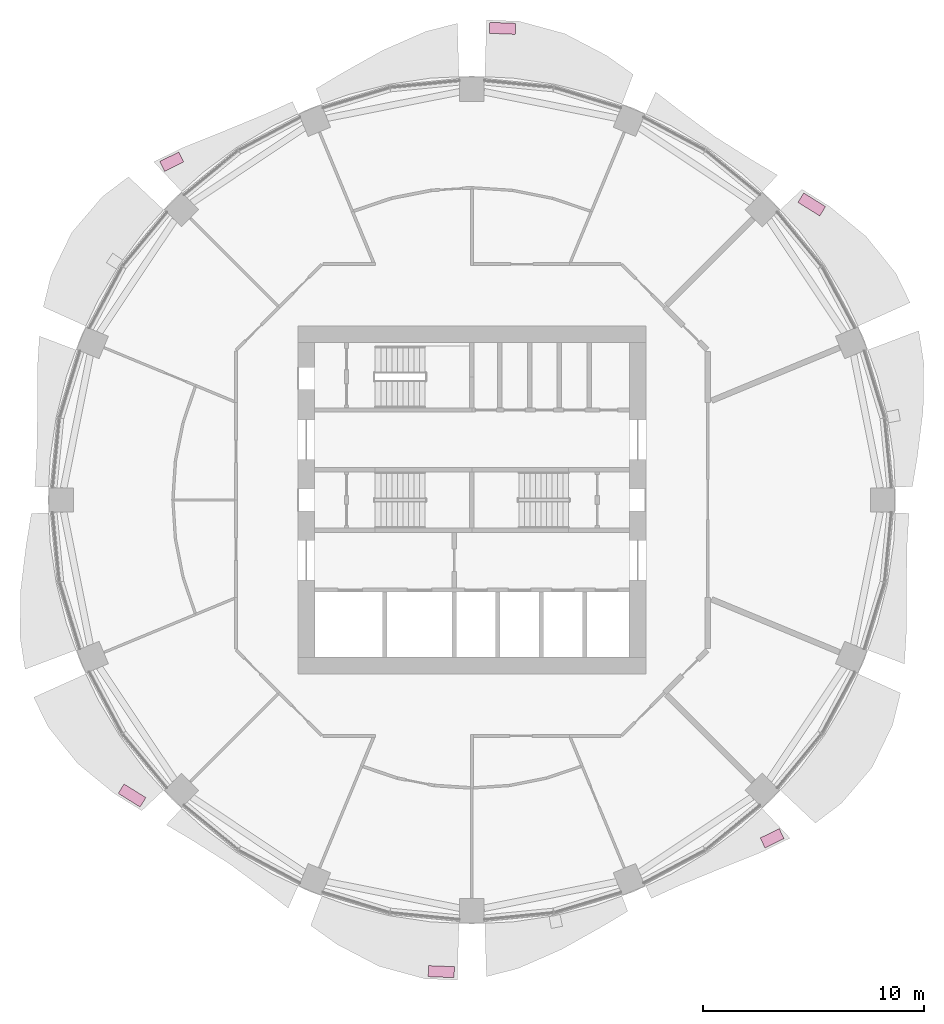
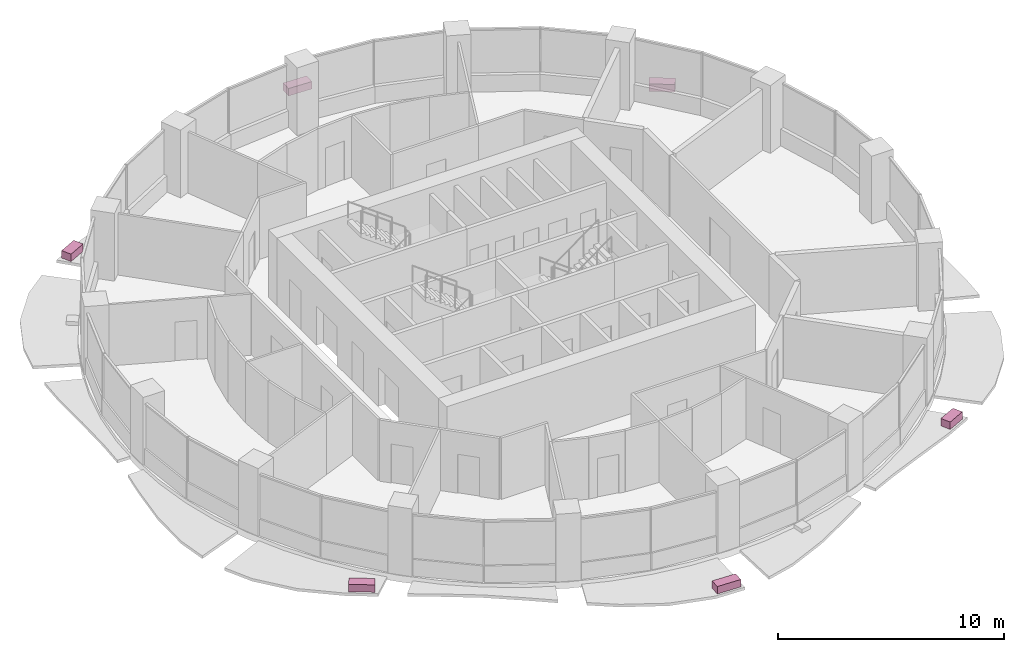
# One storey, part 14 of 14: 6 furniture elements.
"""IFC4 building model written with IfcOpenShell, lengths in metres."""

from ifc_helpers import new_model, si_unit, direction, frame, origin, origin_2d, place, context, subcontext, project, spatial, rectangle, extrude, material, type_object, element, save


model = new_model("IFC4")

# Units and contexts
model_context = context("Model", 3, precision=1e-05, world=origin(), true_north=direction((0.0, 1.0)))
body_context = subcontext(model_context, "Body", "Model", "MODEL_VIEW")
ifc_project = project(units=[si_unit("LENGTHUNIT", "METRE"), si_unit("AREAUNIT", "SQUARE_METRE"), si_unit("VOLUMEUNIT", "CUBIC_METRE"), si_unit("PLANEANGLEUNIT", "RADIAN"), si_unit("MASSUNIT", "GRAM", prefix="KILO")], contexts=[model_context])

# Site, building, storey
site_placement = place(None, origin())
site = spatial("IfcSite", under=ifc_project, at=site_placement, CompositionType="ELEMENT")
building_placement = place(site_placement, origin())
building = spatial("IfcBuilding", under=site, at=building_placement, Name="Polderwave Tower", CompositionType="ELEMENT")
storey_placement = place(building_placement, frame((0.0, 0.0, 109.25)))
storey = spatial("IfcBuildingStorey", under=building, at=storey_placement, Name="L28", CompositionType="ELEMENT", Elevation=109.25)

# Furniture
ifc_material = material(Name="Terracotta", Category="masonry")
furniture_type = type_object("IfcFurnitureType", Name="Terracotta planting trough", AssemblyPlace="NOTDEFINED", PredefinedType="USERDEFINED", material=ifc_material)
furniture_1_placement = place(storey_placement, frame((15.377197265625, 13.371826171875, -0.199951171875), z_axis=(0.0, 0.0, 1.0), x_axis=(-0.848756721796, 0.528783535301, 0.0)))
element("IfcFurniture", 1, at=furniture_1_placement, inside=storey, type_object=furniture_type, Name="Planting trough L28 2", ObjectType="PLANTER", PredefinedType="USERDEFINED", context=body_context, shape_type="SweptSolid", body=[
    extrude(rectangle(XDim=1.16455078125, YDim=0.5, at=origin_2d()), origin(), (0.0, 0.0, 1.0), 0.39990234375),
])
furniture_2_placement = place(storey_placement, frame((1.384765625, 21.34130859375, -0.199951171875), z_axis=(0.0, 0.0, 1.0), x_axis=(-0.999269734511, 0.038209916115, 0.0)))
element("IfcFurniture", 2, at=furniture_2_placement, inside=storey, type_object=furniture_type, Name="Planting trough L28 4", ObjectType="PLANTER", PredefinedType="USERDEFINED", context=body_context, shape_type="SweptSolid", body=[
    extrude(rectangle(XDim=1.172119140625, YDim=0.5, at=origin_2d()), origin(), (0.0, 0.0, 1.0), 0.39990234375),
])
furniture_3_placement = place(storey_placement, frame((-13.5849609375, 15.30712890625, -0.199951171875), z_axis=(0.0, 0.0, 1.0), x_axis=(-0.897969212119, -0.440058284874, 0.0)))
element("IfcFurniture", 3, at=furniture_3_placement, inside=storey, type_object=furniture_type, Name="Planting trough L28 6", ObjectType="PLANTER", PredefinedType="USERDEFINED", context=body_context, shape_type="SweptSolid", body=[
    extrude(rectangle(XDim=0.959716796875, YDim=0.5, at=origin_2d()), origin(), (0.0, 0.0, 1.0), 0.39990234375),
])
furniture_4_placement = place(storey_placement, frame((-15.377197265625, -13.371826171875, -0.199951171875), z_axis=(0.0, 0.0, 1.0), x_axis=(0.848756721796, -0.528783535301, 0.0)))
element("IfcFurniture", 4, at=furniture_4_placement, inside=storey, type_object=furniture_type, Name="Planting trough L28 10", ObjectType="PLANTER", PredefinedType="USERDEFINED", context=body_context, shape_type="SweptSolid", body=[
    extrude(rectangle(XDim=1.16455078125, YDim=0.5, at=origin_2d()), origin(), (0.0, 0.0, 1.0), 0.39990234375),
])
furniture_5_placement = place(storey_placement, frame((-1.384765625, -21.34130859375, -0.199951171875), z_axis=(0.0, 0.0, 1.0), x_axis=(0.999269734511, -0.038209916115, 0.0)))
element("IfcFurniture", 5, at=furniture_5_placement, inside=storey, type_object=furniture_type, Name="Planting trough L28 12", ObjectType="PLANTER", PredefinedType="USERDEFINED", context=body_context, shape_type="SweptSolid", body=[
    extrude(rectangle(XDim=1.172119140625, YDim=0.5, at=origin_2d()), origin(), (0.0, 0.0, 1.0), 0.39990234375),
])
furniture_6_placement = place(storey_placement, frame((13.5849609375, -15.30712890625, -0.199951171875), z_axis=(0.0, 0.0, 1.0), x_axis=(0.897969212119, 0.440058284874, 0.0)))
element("IfcFurniture", 6, at=furniture_6_placement, inside=storey, type_object=furniture_type, Name="Planting trough L28 14", ObjectType="PLANTER", PredefinedType="USERDEFINED", context=body_context, shape_type="SweptSolid", body=[
    extrude(rectangle(XDim=0.959716796875, YDim=0.5, at=origin_2d()), origin(), (0.0, 0.0, 1.0), 0.39990234375),
])

save(model, "model.ifc")
